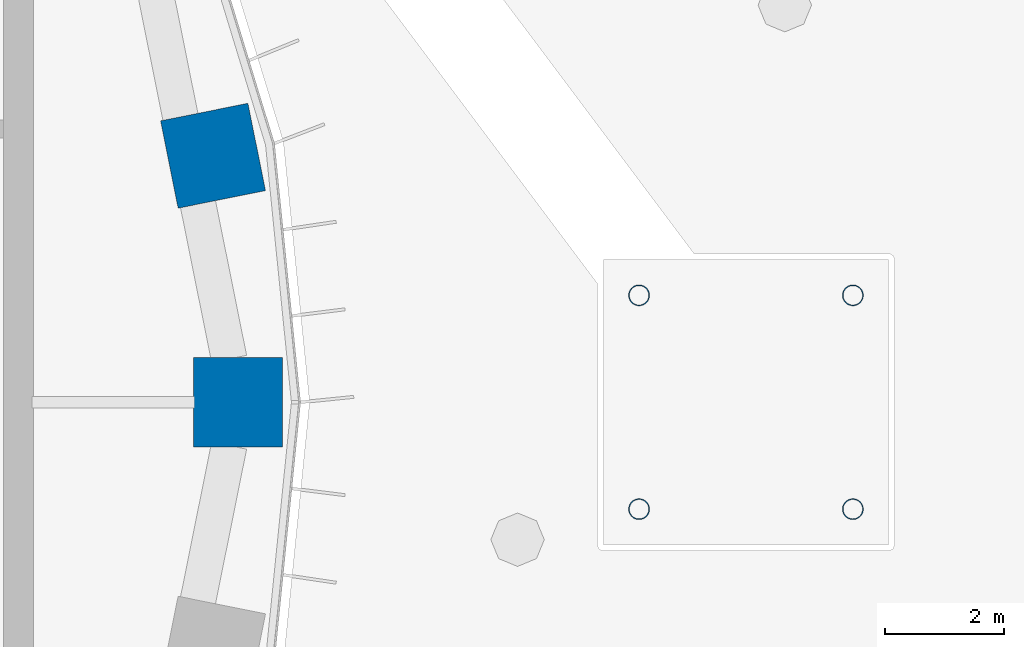
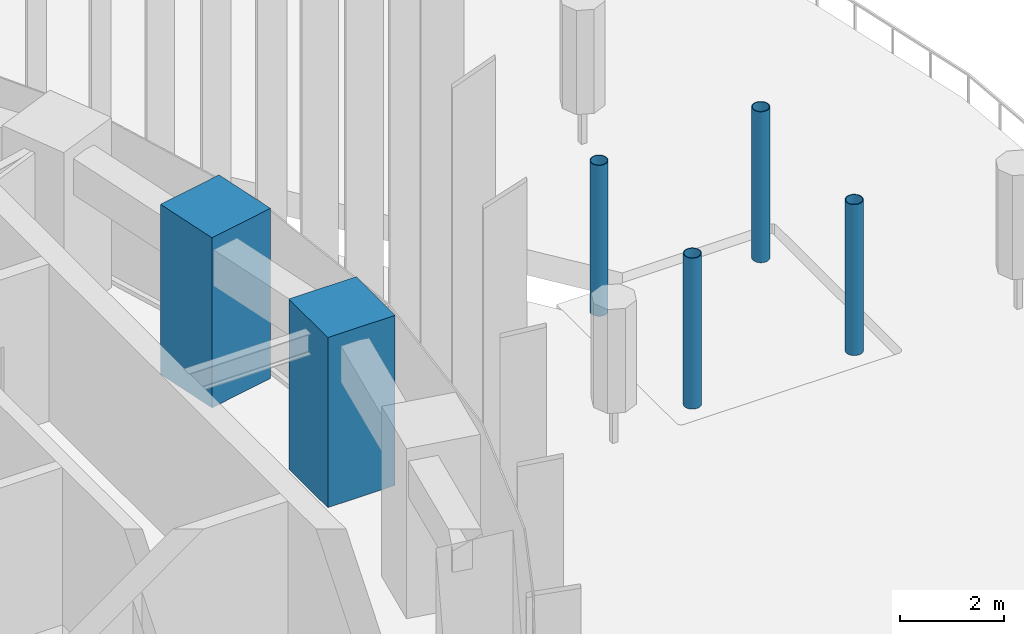
# One storey, part 7 of 30: 6 columns.
"""IFC4 building model written with IfcOpenShell, lengths in metres."""

from ifc_helpers import new_model, si_unit, direction, frame, origin, origin_2d, place, context, subcontext, project, spatial, rectangle, hollow_circle, extrude, material, material_profile, profile_set, type_object, element, save


model = new_model("IFC4")

# Units and contexts
model_context = context("Model", 3, precision=1e-05, world=origin(), true_north=direction((0.0, 1.0)))
body_context = subcontext(model_context, "Body", "Model", "MODEL_VIEW")
ifc_project = project(units=[si_unit("LENGTHUNIT", "METRE"), si_unit("AREAUNIT", "SQUARE_METRE"), si_unit("VOLUMEUNIT", "CUBIC_METRE"), si_unit("PLANEANGLEUNIT", "RADIAN"), si_unit("MASSUNIT", "GRAM", prefix="KILO")], contexts=[model_context])

# Site, building, storey
site_placement = place(None, origin())
site = spatial("IfcSite", under=ifc_project, at=site_placement, CompositionType="ELEMENT")
building_placement = place(site_placement, origin())
building = spatial("IfcBuilding", under=site, at=building_placement, Name="Noorbagh Ring Tower", CompositionType="ELEMENT")
storey_placement = place(building_placement, frame((0.0, 0.0, 30.5)))
storey = spatial("IfcBuildingStorey", under=building, at=storey_placement, Name="L05", CompositionType="ELEMENT", Elevation=30.5)

# Columns
ifc_material_1 = material(Name="Steel S355", Category="steel")
ifc_material_profile_1 = material_profile(ifc_material_1, hollow_circle(Radius=0.177734375, WallThickness=0.01611328125, at=origin_2d()), Name="CHS355.6x16")
ifc_profile_set_1 = profile_set([ifc_material_profile_1], Name="Steel S355")
column_type_1 = type_object("IfcColumnType", Name="GND-CHHATRI-COL", PredefinedType="COLUMN", material=ifc_profile_set_1)
for number, where, z_axis, x_axis, name in (
    (1, (41.699951171875, -1.800048828125, 0.449951171875), (0.0, 0.0, 1.0), (1.0, 0.0, 0.0), "Chhatri 1 column"),
    (2, (45.300048828125, -1.800048828125, 0.449951171875), (0.0, 0.0, 1.0), (1.0, 0.0, 0.0), "Chhatri 1 column"),
    (3, (45.300048828125, 1.800048828125, 0.449951171875), (0.0, 0.0, 1.0), (1.0, 0.0, 0.0), "Chhatri 1 column"),
    (4, (41.699951171875, 1.800048828125, 0.449951171875), (0.0, 0.0, 1.0), (1.0, 0.0, 0.0), "Chhatri 1 column"),
):
    element("IfcColumn", number, at=place(storey_placement, frame(where, z_axis=z_axis, x_axis=x_axis)), inside=storey, type_object=column_type_1, Name=name, PredefinedType="COLUMN", context=body_context, shape_type="SweptSolid", body=[
        extrude(hollow_circle(Radius=0.177734375, WallThickness=0.01611328125, at=origin_2d()), origin(), (0.0, 0.0, 1.0), 3.550048828125),
    ])
ifc_material_2 = material(Name="Concrete C70/85", Category="concrete")
ifc_material_profile_2 = material_profile(ifc_material_2, rectangle(XDim=1.5, YDim=1.5, at=origin_2d()), Name="RC1500x1500")
ifc_profile_set_2 = profile_set([ifc_material_profile_2], Name="Concrete C70/85")
column_type_2 = type_object("IfcColumnType", Name="STR-COL-RC1500x1500-C70-85", PredefinedType="COLUMN", material=ifc_profile_set_2)
for number, where, z_axis, x_axis, name in (
    (5, (34.944580078125, 0.0, 0.0), (0.0, 0.0, 1.0), (0.0, 1.0, 0.0), "L05/col/R1-01"),
    (6, (34.52685546875, 4.150634765625, 0.0), (0.0, 0.0, 1.0), (-0.19723040178, 0.9803571638, 0.0), "L05/col/R1-02"),
):
    element("IfcColumn", number, at=place(storey_placement, frame(where, z_axis=z_axis, x_axis=x_axis)), inside=storey, type_object=column_type_2, Name=name, PredefinedType="COLUMN", context=body_context, shape_type="SweptSolid", body=[
        extrude(rectangle(XDim=1.5, YDim=1.5, at=origin_2d()), origin(), (0.0, 0.0, 1.0), 4.0),
    ])

save(model, "model.ifc")
